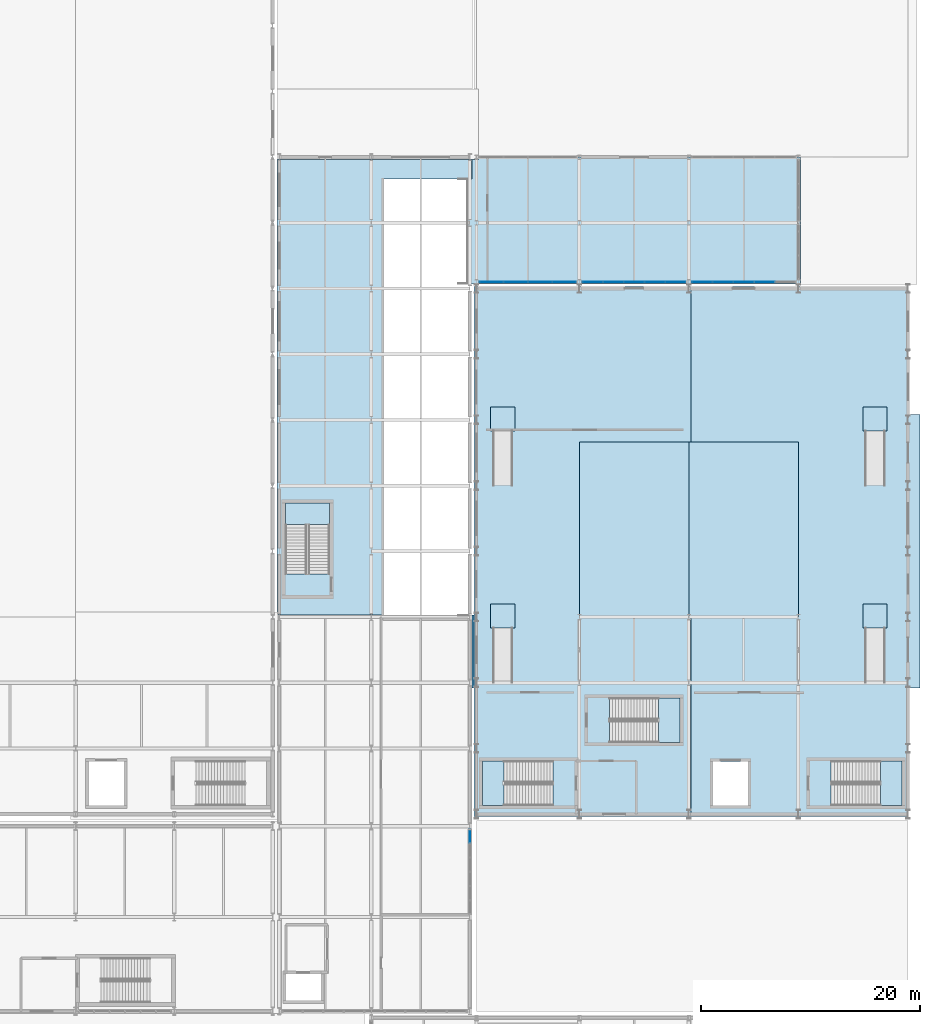
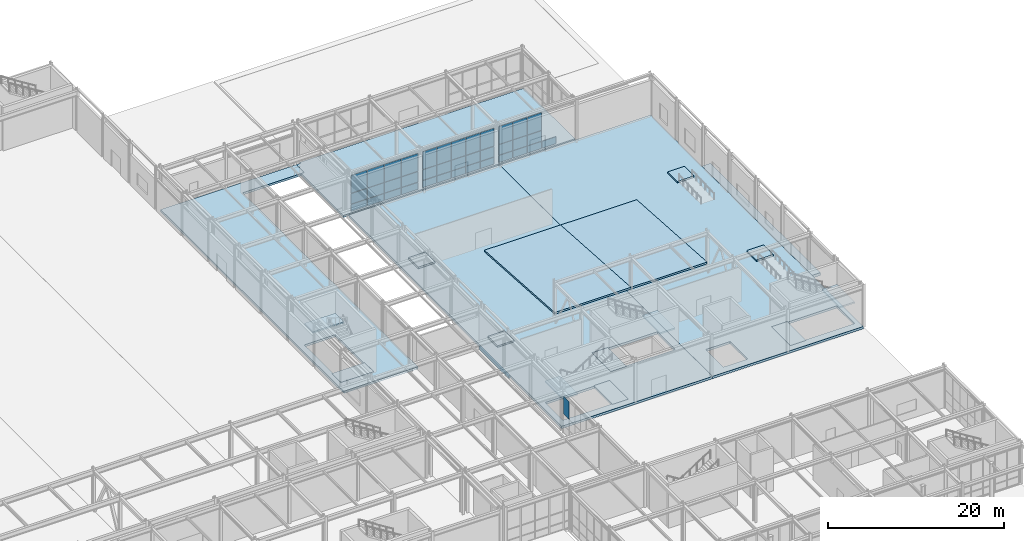
# One storey, part 113 of 146: 38 plates, 20 slabs, 8 elements without a shape of their own.
"""IFC4 building model written with IfcOpenShell, lengths in metres."""

from ifc_helpers import new_model, si_unit, direction, frame, origin, origin_2d, place, context, subcontext, project, spatial, polyline, rectangle, outline, extrude, material, layer, layer_set, type_object, element, aggregate, save


model = new_model("IFC4")

# Units and contexts
model_context = context("Model", 3, precision=1e-05, world=origin(), true_north=direction((0.0, 1.0)))
body_context = subcontext(model_context, "Body", "Model", "MODEL_VIEW")
ifc_project = project(units=[si_unit("LENGTHUNIT", "METRE"), si_unit("AREAUNIT", "SQUARE_METRE"), si_unit("VOLUMEUNIT", "CUBIC_METRE"), si_unit("PLANEANGLEUNIT", "RADIAN"), si_unit("MASSUNIT", "GRAM", prefix="KILO")], contexts=[model_context])

# Site, building, storey
site_placement = place(None, origin())
site = spatial("IfcSite", under=ifc_project, at=site_placement, CompositionType="ELEMENT")
building_placement = place(site_placement, origin())
building = spatial("IfcBuilding", under=site, at=building_placement, Name="Kaldris Quays Convention Centre", CompositionType="ELEMENT")
storey_placement = place(building_placement, origin())
storey = spatial("IfcBuildingStorey", under=building, at=storey_placement, Name="L00", CompositionType="ELEMENT", Elevation=0.0)

# Curtain wall, plates
ifc_material_1 = material(Name="Anodized aluminium AW-6060 and triple glazing", Category="aluminium")
curtain_wall_type_1 = type_object("IfcCurtainWallType", Name="UNITISED CURTAIN WALL CW06", PredefinedType="NOTDEFINED", material=ifc_material_1)
curtain_wall_1_placement = place(storey_placement, origin())
curtain_wall_1 = element("IfcCurtainWall", 1, at=curtain_wall_1_placement, inside=storey, type_object=curtain_wall_type_1, Name="L00 Unitised Curtain Wall CW06 154", PredefinedType="NOTDEFINED")
ifc_material_2 = material(Name="Triple low-E insulated glazing", Category="glass")
plate_type_1 = type_object("IfcPlateType", Name="CURTAIN GLAZING PANEL CWP2", PredefinedType="CURTAIN_PANEL", material=ifc_material_2)
plate_1_placement = place(storey_placement, frame((165.9775390625, 104.60009765625, 0.06005859375), z_axis=(0.0, 0.0, 1.0), x_axis=(1.0, 0.0, 0.0)))
plate_1 = element("IfcPlate", 2, at=plate_1_placement, type_object=plate_type_1, Name="CW06 panel 1.1", PredefinedType="CURTAIN_PANEL", context=body_context, shape_type="SweptSolid", body=[
    extrude(rectangle(XDim=2.135009765625, YDim=0.033935546875, at=origin_2d()), origin(), (0.0, 0.0, 1.0), 0.9599609375),
])
plate_2_placement = place(storey_placement, frame((165.9775390625, 104.60009765625, 1.080078125), z_axis=(0.0, 0.0, 1.0), x_axis=(1.0, 0.0, 0.0)))
plate_2 = element("IfcPlate", 3, at=plate_2_placement, type_object=plate_type_1, Name="CW06 panel 1.2", PredefinedType="CURTAIN_PANEL", context=body_context, shape_type="SweptSolid", body=[
    extrude(rectangle(XDim=2.135009765625, YDim=0.033935546875, at=origin_2d()), origin(), (0.0, 0.0, 1.0), 1.43896484375),
])
plate_3_placement = place(storey_placement, frame((165.9775390625, 104.60009765625, 2.5791015625), z_axis=(0.0, 0.0, 1.0), x_axis=(1.0, 0.0, 0.0)))
plate_3 = element("IfcPlate", 4, at=plate_3_placement, type_object=plate_type_1, Name="CW06 panel 1.3", PredefinedType="CURTAIN_PANEL", context=body_context, shape_type="SweptSolid", body=[
    extrude(rectangle(XDim=2.135009765625, YDim=0.033935546875, at=origin_2d()), origin(), (0.0, 0.0, 1.0), 2.458984375),
])
plate_4_placement = place(storey_placement, frame((168.1875, 104.60009765625, 0.06005859375), z_axis=(0.0, 0.0, 1.0), x_axis=(1.0, 0.0, 0.0)))
plate_4 = element("IfcPlate", 5, at=plate_4_placement, type_object=plate_type_1, Name="CW06 panel 2.1", PredefinedType="CURTAIN_PANEL", context=body_context, shape_type="SweptSolid", body=[
    extrude(rectangle(XDim=2.1650390625, YDim=0.033935546875, at=origin_2d()), origin(), (0.0, 0.0, 1.0), 0.9599609375),
])
plate_5_placement = place(storey_placement, frame((168.1875, 104.60009765625, 1.080078125), z_axis=(0.0, 0.0, 1.0), x_axis=(1.0, 0.0, 0.0)))
plate_5 = element("IfcPlate", 6, at=plate_5_placement, type_object=plate_type_1, Name="CW06 panel 2.2", PredefinedType="CURTAIN_PANEL", context=body_context, shape_type="SweptSolid", body=[
    extrude(rectangle(XDim=2.1650390625, YDim=0.033935546875, at=origin_2d()), origin(), (0.0, 0.0, 1.0), 1.43896484375),
])
plate_6_placement = place(storey_placement, frame((168.1875, 104.60009765625, 2.5791015625), z_axis=(0.0, 0.0, 1.0), x_axis=(1.0, 0.0, 0.0)))
plate_6 = element("IfcPlate", 7, at=plate_6_placement, type_object=plate_type_1, Name="CW06 panel 2.3", PredefinedType="CURTAIN_PANEL", context=body_context, shape_type="SweptSolid", body=[
    extrude(rectangle(XDim=2.1650390625, YDim=0.033935546875, at=origin_2d()), origin(), (0.0, 0.0, 1.0), 2.458984375),
])
plate_7_placement = place(storey_placement, frame((170.41259765625, 104.60009765625, 0.06005859375), z_axis=(0.0, 0.0, 1.0), x_axis=(1.0, 0.0, 0.0)))
plate_7 = element("IfcPlate", 8, at=plate_7_placement, type_object=plate_type_1, Name="CW06 panel 3.1", PredefinedType="CURTAIN_PANEL", context=body_context, shape_type="SweptSolid", body=[
    extrude(rectangle(XDim=2.1650390625, YDim=0.033935546875, at=origin_2d()), origin(), (0.0, 0.0, 1.0), 0.9599609375),
])
plate_8_placement = place(storey_placement, frame((170.41259765625, 104.60009765625, 1.080078125), z_axis=(0.0, 0.0, 1.0), x_axis=(1.0, 0.0, 0.0)))
plate_8 = element("IfcPlate", 9, at=plate_8_placement, type_object=plate_type_1, Name="CW06 panel 3.2", PredefinedType="CURTAIN_PANEL", context=body_context, shape_type="SweptSolid", body=[
    extrude(rectangle(XDim=2.1650390625, YDim=0.033935546875, at=origin_2d()), origin(), (0.0, 0.0, 1.0), 1.43896484375),
])
plate_9_placement = place(storey_placement, frame((170.41259765625, 104.60009765625, 2.5791015625), z_axis=(0.0, 0.0, 1.0), x_axis=(1.0, 0.0, 0.0)))
plate_9 = element("IfcPlate", 10, at=plate_9_placement, type_object=plate_type_1, Name="CW06 panel 3.3", PredefinedType="CURTAIN_PANEL", context=body_context, shape_type="SweptSolid", body=[
    extrude(rectangle(XDim=2.1650390625, YDim=0.033935546875, at=origin_2d()), origin(), (0.0, 0.0, 1.0), 2.458984375),
])
plate_10_placement = place(storey_placement, frame((172.62255859375, 104.60009765625, 0.06005859375), z_axis=(0.0, 0.0, 1.0), x_axis=(1.0, 0.0, 0.0)))
plate_10 = element("IfcPlate", 11, at=plate_10_placement, type_object=plate_type_1, Name="CW06 panel 4.1", PredefinedType="CURTAIN_PANEL", context=body_context, shape_type="SweptSolid", body=[
    extrude(rectangle(XDim=2.135009765625, YDim=0.033935546875, at=origin_2d()), origin(), (0.0, 0.0, 1.0), 0.9599609375),
])
plate_11_placement = place(storey_placement, frame((172.62255859375, 104.60009765625, 1.080078125), z_axis=(0.0, 0.0, 1.0), x_axis=(1.0, 0.0, 0.0)))
plate_11 = element("IfcPlate", 12, at=plate_11_placement, type_object=plate_type_1, Name="CW06 panel 4.2", PredefinedType="CURTAIN_PANEL", context=body_context, shape_type="SweptSolid", body=[
    extrude(rectangle(XDim=2.135009765625, YDim=0.033935546875, at=origin_2d()), origin(), (0.0, 0.0, 1.0), 1.43896484375),
])
plate_12_placement = place(storey_placement, frame((172.62255859375, 104.60009765625, 2.5791015625), z_axis=(0.0, 0.0, 1.0), x_axis=(1.0, 0.0, 0.0)))
plate_12 = element("IfcPlate", 13, at=plate_12_placement, type_object=plate_type_1, Name="CW06 panel 4.3", PredefinedType="CURTAIN_PANEL", context=body_context, shape_type="SweptSolid", body=[
    extrude(rectangle(XDim=2.135009765625, YDim=0.033935546875, at=origin_2d()), origin(), (0.0, 0.0, 1.0), 2.458984375),
])
aggregate(curtain_wall_1, [plate_1, plate_2, plate_3, plate_4, plate_5, plate_6, plate_7, plate_8, plate_9, plate_10, plate_11, plate_12])

curtain_wall_2_placement = place(storey_placement, origin())
curtain_wall_2 = element("IfcCurtainWall", 14, at=curtain_wall_2_placement, inside=storey, type_object=curtain_wall_type_1, Name="L00 Unitised Curtain Wall CW06 155", PredefinedType="NOTDEFINED")
plate_type_2 = type_object("IfcPlateType", Name="CURTAIN GLAZING PANEL CWP3", PredefinedType="CURTAIN_PANEL", material=ifc_material_2)
plate_13_placement = place(storey_placement, frame((175.215087890625, 104.60009765625, 0.06005859375), z_axis=(0.0, 0.0, 1.0), x_axis=(1.0, 0.0, 0.0)))
plate_13 = element("IfcPlate", 15, at=plate_13_placement, type_object=plate_type_2, Name="CW06 panel 1.1", PredefinedType="CURTAIN_PANEL", context=body_context, shape_type="SweptSolid", body=[
    extrude(rectangle(XDim=1.81005859375, YDim=0.0390625, at=origin_2d()), origin(), (0.0, 0.0, 1.0), 0.9599609375),
])
plate_14_placement = place(storey_placement, frame((175.215087890625, 104.60009765625, 1.080078125), z_axis=(0.0, 0.0, 1.0), x_axis=(1.0, 0.0, 0.0)))
plate_14 = element("IfcPlate", 16, at=plate_14_placement, type_object=plate_type_2, Name="CW06 panel 1.2", PredefinedType="CURTAIN_PANEL", context=body_context, shape_type="SweptSolid", body=[
    extrude(rectangle(XDim=1.81005859375, YDim=0.0390625, at=origin_2d()), origin(), (0.0, 0.0, 1.0), 1.43896484375),
])
plate_15_placement = place(storey_placement, frame((175.215087890625, 104.60009765625, 2.5791015625), z_axis=(0.0, 0.0, 1.0), x_axis=(1.0, 0.0, 0.0)))
plate_15 = element("IfcPlate", 17, at=plate_15_placement, type_object=plate_type_2, Name="CW06 panel 1.3", PredefinedType="CURTAIN_PANEL", context=body_context, shape_type="SweptSolid", body=[
    extrude(rectangle(XDim=1.81005859375, YDim=0.0390625, at=origin_2d()), origin(), (0.0, 0.0, 1.0), 2.458984375),
])
plate_16_placement = place(storey_placement, frame((177.10009765625, 104.60009765625, 0.06005859375), z_axis=(0.0, 0.0, 1.0), x_axis=(1.0, 0.0, 0.0)))
plate_16 = element("IfcPlate", 18, at=plate_16_placement, type_object=plate_type_2, Name="CW06 panel 2.1", PredefinedType="CURTAIN_PANEL", context=body_context, shape_type="SweptSolid", body=[
    extrude(rectangle(XDim=1.840087890625, YDim=0.0390625, at=origin_2d()), origin(), (0.0, 0.0, 1.0), 0.9599609375),
])
plate_17_placement = place(storey_placement, frame((177.10009765625, 104.60009765625, 1.080078125), z_axis=(0.0, 0.0, 1.0), x_axis=(1.0, 0.0, 0.0)))
plate_17 = element("IfcPlate", 19, at=plate_17_placement, type_object=plate_type_2, Name="CW06 panel 2.2", PredefinedType="CURTAIN_PANEL", context=body_context, shape_type="SweptSolid", body=[
    extrude(rectangle(XDim=1.840087890625, YDim=0.0390625, at=origin_2d()), origin(), (0.0, 0.0, 1.0), 1.43896484375),
])
plate_18_placement = place(storey_placement, frame((177.10009765625, 104.60009765625, 2.5791015625), z_axis=(0.0, 0.0, 1.0), x_axis=(1.0, 0.0, 0.0)))
plate_18 = element("IfcPlate", 20, at=plate_18_placement, type_object=plate_type_2, Name="CW06 panel 2.3", PredefinedType="CURTAIN_PANEL", context=body_context, shape_type="SweptSolid", body=[
    extrude(rectangle(XDim=1.840087890625, YDim=0.0390625, at=origin_2d()), origin(), (0.0, 0.0, 1.0), 2.458984375),
])
plate_19_placement = place(storey_placement, frame((179.0, 104.60009765625, 0.06005859375), z_axis=(0.0, 0.0, 1.0), x_axis=(1.0, 0.0, 0.0)))
plate_19 = element("IfcPlate", 21, at=plate_19_placement, type_object=plate_type_2, Name="CW06 panel 3.1", PredefinedType="CURTAIN_PANEL", context=body_context, shape_type="SweptSolid", body=[
    extrude(rectangle(XDim=1.840087890625, YDim=0.0390625, at=origin_2d()), origin(), (0.0, 0.0, 1.0), 0.9599609375),
])
plate_20_placement = place(storey_placement, frame((179.0, 104.60009765625, 1.080078125), z_axis=(0.0, 0.0, 1.0), x_axis=(1.0, 0.0, 0.0)))
plate_20 = element("IfcPlate", 22, at=plate_20_placement, type_object=plate_type_2, Name="CW06 panel 3.2", PredefinedType="CURTAIN_PANEL", context=body_context, shape_type="SweptSolid", body=[
    extrude(rectangle(XDim=1.840087890625, YDim=0.0390625, at=origin_2d()), origin(), (0.0, 0.0, 1.0), 1.43896484375),
])
plate_21_placement = place(storey_placement, frame((179.0, 104.60009765625, 2.5791015625), z_axis=(0.0, 0.0, 1.0), x_axis=(1.0, 0.0, 0.0)))
plate_21 = element("IfcPlate", 23, at=plate_21_placement, type_object=plate_type_2, Name="CW06 panel 3.3", PredefinedType="CURTAIN_PANEL", context=body_context, shape_type="SweptSolid", body=[
    extrude(rectangle(XDim=1.840087890625, YDim=0.0390625, at=origin_2d()), origin(), (0.0, 0.0, 1.0), 2.458984375),
])
plate_22_placement = place(storey_placement, frame((180.89990234375, 104.60009765625, 0.06005859375), z_axis=(0.0, 0.0, 1.0), x_axis=(1.0, 0.0, 0.0)))
plate_22 = element("IfcPlate", 24, at=plate_22_placement, type_object=plate_type_2, Name="CW06 panel 4.1", PredefinedType="CURTAIN_PANEL", context=body_context, shape_type="SweptSolid", body=[
    extrude(rectangle(XDim=1.840087890625, YDim=0.0390625, at=origin_2d()), origin(), (0.0, 0.0, 1.0), 0.9599609375),
])
plate_23_placement = place(storey_placement, frame((180.89990234375, 104.60009765625, 1.080078125), z_axis=(0.0, 0.0, 1.0), x_axis=(1.0, 0.0, 0.0)))
plate_23 = element("IfcPlate", 25, at=plate_23_placement, type_object=plate_type_2, Name="CW06 panel 4.2", PredefinedType="CURTAIN_PANEL", context=body_context, shape_type="SweptSolid", body=[
    extrude(rectangle(XDim=1.840087890625, YDim=0.0390625, at=origin_2d()), origin(), (0.0, 0.0, 1.0), 1.43896484375),
])
plate_24_placement = place(storey_placement, frame((180.89990234375, 104.60009765625, 2.5791015625), z_axis=(0.0, 0.0, 1.0), x_axis=(1.0, 0.0, 0.0)))
plate_24 = element("IfcPlate", 26, at=plate_24_placement, type_object=plate_type_2, Name="CW06 panel 4.3", PredefinedType="CURTAIN_PANEL", context=body_context, shape_type="SweptSolid", body=[
    extrude(rectangle(XDim=1.840087890625, YDim=0.0390625, at=origin_2d()), origin(), (0.0, 0.0, 1.0), 2.458984375),
])
plate_25_placement = place(storey_placement, frame((182.784912109375, 104.60009765625, 0.06005859375), z_axis=(0.0, 0.0, 1.0), x_axis=(1.0, 0.0, 0.0)))
plate_25 = element("IfcPlate", 27, at=plate_25_placement, type_object=plate_type_2, Name="CW06 panel 5.1", PredefinedType="CURTAIN_PANEL", context=body_context, shape_type="SweptSolid", body=[
    extrude(rectangle(XDim=1.81005859375, YDim=0.0390625, at=origin_2d()), origin(), (0.0, 0.0, 1.0), 0.9599609375),
])
plate_26_placement = place(storey_placement, frame((182.784912109375, 104.60009765625, 1.080078125), z_axis=(0.0, 0.0, 1.0), x_axis=(1.0, 0.0, 0.0)))
plate_26 = element("IfcPlate", 28, at=plate_26_placement, type_object=plate_type_2, Name="CW06 panel 5.2", PredefinedType="CURTAIN_PANEL", context=body_context, shape_type="SweptSolid", body=[
    extrude(rectangle(XDim=1.81005859375, YDim=0.0390625, at=origin_2d()), origin(), (0.0, 0.0, 1.0), 1.43896484375),
])
plate_27_placement = place(storey_placement, frame((182.784912109375, 104.60009765625, 2.5791015625), z_axis=(0.0, 0.0, 1.0), x_axis=(1.0, 0.0, 0.0)))
plate_27 = element("IfcPlate", 29, at=plate_27_placement, type_object=plate_type_2, Name="CW06 panel 5.3", PredefinedType="CURTAIN_PANEL", context=body_context, shape_type="SweptSolid", body=[
    extrude(rectangle(XDim=1.81005859375, YDim=0.0390625, at=origin_2d()), origin(), (0.0, 0.0, 1.0), 2.458984375),
])
aggregate(curtain_wall_2, [plate_13, plate_14, plate_15, plate_16, plate_17, plate_18, plate_19, plate_20, plate_21, plate_22, plate_23, plate_24, plate_25, plate_26, plate_27])

curtain_wall_3_placement = place(storey_placement, origin())
curtain_wall_3 = element("IfcCurtainWall", 30, at=curtain_wall_3_placement, inside=storey, type_object=curtain_wall_type_1, Name="L00 Unitised Curtain Wall CW06 157", PredefinedType="NOTDEFINED")
plate_type_3 = type_object("IfcPlateType", Name="CURTAIN GLAZING PANEL CWP5", PredefinedType="CURTAIN_PANEL", material=ifc_material_2)
plate_28_placement = place(storey_placement, frame((185.215087890625, 104.60009765625, 0.06005859375), z_axis=(0.0, 0.0, 1.0), x_axis=(1.0, 0.0, 0.0)))
plate_28 = element("IfcPlate", 31, at=plate_28_placement, type_object=plate_type_3, Name="CW06 panel 1.1", PredefinedType="CURTAIN_PANEL", context=body_context, shape_type="SweptSolid", body=[
    extrude(rectangle(XDim=1.81005859375, YDim=0.049072265625, at=origin_2d()), origin(), (0.0, 0.0, 1.0), 0.9599609375),
])
plate_29_placement = place(storey_placement, frame((185.215087890625, 104.60009765625, 1.080078125), z_axis=(0.0, 0.0, 1.0), x_axis=(1.0, 0.0, 0.0)))
plate_29 = element("IfcPlate", 32, at=plate_29_placement, type_object=plate_type_3, Name="CW06 panel 1.2", PredefinedType="CURTAIN_PANEL", context=body_context, shape_type="SweptSolid", body=[
    extrude(rectangle(XDim=1.81005859375, YDim=0.049072265625, at=origin_2d()), origin(), (0.0, 0.0, 1.0), 1.43896484375),
])
plate_30_placement = place(storey_placement, frame((185.215087890625, 104.60009765625, 2.5791015625), z_axis=(0.0, 0.0, 1.0), x_axis=(1.0, 0.0, 0.0)))
plate_30 = element("IfcPlate", 33, at=plate_30_placement, type_object=plate_type_3, Name="CW06 panel 1.3", PredefinedType="CURTAIN_PANEL", context=body_context, shape_type="SweptSolid", body=[
    extrude(rectangle(XDim=1.81005859375, YDim=0.049072265625, at=origin_2d()), origin(), (0.0, 0.0, 1.0), 2.458984375),
])
plate_31_placement = place(storey_placement, frame((187.10009765625, 104.60009765625, 0.06005859375), z_axis=(0.0, 0.0, 1.0), x_axis=(1.0, 0.0, 0.0)))
plate_31 = element("IfcPlate", 34, at=plate_31_placement, type_object=plate_type_3, Name="CW06 panel 2.1", PredefinedType="CURTAIN_PANEL", context=body_context, shape_type="SweptSolid", body=[
    extrude(rectangle(XDim=1.840087890625, YDim=0.049072265625, at=origin_2d()), origin(), (0.0, 0.0, 1.0), 0.9599609375),
])
plate_32_placement = place(storey_placement, frame((187.10009765625, 104.60009765625, 1.080078125), z_axis=(0.0, 0.0, 1.0), x_axis=(1.0, 0.0, 0.0)))
plate_32 = element("IfcPlate", 35, at=plate_32_placement, type_object=plate_type_3, Name="CW06 panel 2.2", PredefinedType="CURTAIN_PANEL", context=body_context, shape_type="SweptSolid", body=[
    extrude(rectangle(XDim=1.840087890625, YDim=0.049072265625, at=origin_2d()), origin(), (0.0, 0.0, 1.0), 1.43896484375),
])
plate_33_placement = place(storey_placement, frame((187.10009765625, 104.60009765625, 2.5791015625), z_axis=(0.0, 0.0, 1.0), x_axis=(1.0, 0.0, 0.0)))
plate_33 = element("IfcPlate", 36, at=plate_33_placement, type_object=plate_type_3, Name="CW06 panel 2.3", PredefinedType="CURTAIN_PANEL", context=body_context, shape_type="SweptSolid", body=[
    extrude(rectangle(XDim=1.840087890625, YDim=0.049072265625, at=origin_2d()), origin(), (0.0, 0.0, 1.0), 2.458984375),
])
plate_34_placement = place(storey_placement, frame((189.0, 104.60009765625, 0.06005859375), z_axis=(0.0, 0.0, 1.0), x_axis=(1.0, 0.0, 0.0)))
plate_34 = element("IfcPlate", 37, at=plate_34_placement, type_object=plate_type_3, Name="CW06 panel 3.1", PredefinedType="CURTAIN_PANEL", context=body_context, shape_type="SweptSolid", body=[
    extrude(rectangle(XDim=1.840087890625, YDim=0.049072265625, at=origin_2d()), origin(), (0.0, 0.0, 1.0), 0.9599609375),
])
plate_35_placement = place(storey_placement, frame((189.0, 104.60009765625, 1.080078125), z_axis=(0.0, 0.0, 1.0), x_axis=(1.0, 0.0, 0.0)))
plate_35 = element("IfcPlate", 38, at=plate_35_placement, type_object=plate_type_3, Name="CW06 panel 3.2", PredefinedType="CURTAIN_PANEL", context=body_context, shape_type="SweptSolid", body=[
    extrude(rectangle(XDim=1.840087890625, YDim=0.049072265625, at=origin_2d()), origin(), (0.0, 0.0, 1.0), 1.43896484375),
])
plate_36_placement = place(storey_placement, frame((189.0, 104.60009765625, 2.5791015625), z_axis=(0.0, 0.0, 1.0), x_axis=(1.0, 0.0, 0.0)))
plate_36 = element("IfcPlate", 39, at=plate_36_placement, type_object=plate_type_3, Name="CW06 panel 3.3", PredefinedType="CURTAIN_PANEL", context=body_context, shape_type="SweptSolid", body=[
    extrude(rectangle(XDim=1.840087890625, YDim=0.049072265625, at=origin_2d()), origin(), (0.0, 0.0, 1.0), 2.458984375),
])
plate_37_placement = place(storey_placement, frame((190.89990234375, 104.60009765625, 0.06005859375), z_axis=(0.0, 0.0, 1.0), x_axis=(1.0, 0.0, 0.0)))
plate_37 = element("IfcPlate", 40, at=plate_37_placement, type_object=plate_type_3, Name="CW06 panel 4.1", PredefinedType="CURTAIN_PANEL", context=body_context, shape_type="SweptSolid", body=[
    extrude(rectangle(XDim=1.840087890625, YDim=0.049072265625, at=origin_2d()), origin(), (0.0, 0.0, 1.0), 0.9599609375),
])
aggregate(curtain_wall_3, [plate_28, plate_29, plate_30, plate_31, plate_32, plate_33, plate_34, plate_35, plate_36, plate_37])

# Curtain wall, plate
curtain_wall_type_2 = type_object("IfcCurtainWallType", Name="UNITISED CURTAIN WALL CW04", PredefinedType="NOTDEFINED", material=ifc_material_1)
curtain_wall_4_placement = place(storey_placement, origin())
curtain_wall_4 = element("IfcCurtainWall", 41, at=curtain_wall_4_placement, inside=storey, type_object=curtain_wall_type_2, Name="L00 Unitised Curtain Wall CW04 136", PredefinedType="NOTDEFINED")
plate_type_4 = type_object("IfcPlateType", Name="CURTAIN GLAZING PANEL CWP8", PredefinedType="CURTAIN_PANEL", material=ifc_material_2)
plate_38_placement = place(storey_placement, frame((164.0, 53.985107421875, 2.5791015625), z_axis=(0.0, 0.0, 1.0), x_axis=(0.0, 1.0, 0.0)))
plate_38 = element("IfcPlate", 42, at=plate_38_placement, type_object=plate_type_4, Name="CW04 panel 6.3", PredefinedType="CURTAIN_PANEL", context=body_context, shape_type="SweptSolid", body=[
    extrude(rectangle(XDim=1.2099609375, YDim=0.06396484375, at=origin_2d()), origin(), (0.0, 0.0, 1.0), 2.458984375),
])
aggregate(curtain_wall_4, [plate_38])

# Stair, slab
ifc_material_3 = material(Name="Concrete C35/45", Category="concrete")
stair_type = type_object("IfcStairType", Name="DOGLEG ESCAPE STAIR STF2", PredefinedType="TWO_STRAIGHT_RUN_STAIR", material=ifc_material_3)
stair_1_placement = place(storey_placement, origin())
stair_1 = element("IfcStair", 43, at=stair_1_placement, inside=storey, type_object=stair_type, Name="L00 Escape Stair ST08", PredefinedType="TWO_STRAIGHT_RUN_STAIR")
ifc_layer_1 = layer(ifc_material_3, 0.205078125)
ifc_layer_set_1 = layer_set([ifc_layer_1], Name="Concrete C35/45")
slab_type_1 = type_object("IfcSlabType", Name="STAIR LANDING SLAB LS01", PredefinedType="LANDING", material=ifc_layer_set_1)
slab_1_placement = place(storey_placement, frame((0.0, 0.0, 2.794921875)))
slab_1 = element("IfcSlab", 44, at=slab_1_placement, type_object=slab_type_1, Name="STF2 landing 1", PredefinedType="LANDING", context=body_context, shape_type="SweptSolid", body=[
    extrude(outline(polyline([(167.1201171875, 60.85009765625), (165.14990234375, 60.85009765625), (165.14990234375, 56.800048828125), (167.1201171875, 56.800048828125), (167.1201171875, 60.85009765625)])), origin(), (0.0, 0.0, 1.0), 0.205078125),
])
aggregate(stair_1, [slab_1])

stair_2_placement = place(storey_placement, origin())
stair_2 = element("IfcStair", 45, at=stair_2_placement, inside=storey, type_object=stair_type, Name="L00 Escape Stair ST09", PredefinedType="TWO_STRAIGHT_RUN_STAIR")
slab_2_placement = place(storey_placement, frame((0.0, 0.0, 2.794921875)))
slab_2 = element("IfcSlab", 46, at=slab_2_placement, type_object=slab_type_1, Name="STF2 landing 1", PredefinedType="LANDING", context=body_context, shape_type="SweptSolid", body=[
    extrude(outline(polyline([(201.47998046875, 56.800048828125), (203.449951171875, 56.800048828125), (203.449951171875, 60.85009765625), (201.47998046875, 60.85009765625), (201.47998046875, 56.800048828125)])), origin(), (0.0, 0.0, 1.0), 0.205078125),
])
aggregate(stair_2, [slab_2])

stair_3_placement = place(storey_placement, origin())
stair_3 = element("IfcStair", 47, at=stair_3_placement, inside=storey, type_object=stair_type, Name="L00 Escape Stair ST10", PredefinedType="TWO_STRAIGHT_RUN_STAIR")
slab_3_placement = place(storey_placement, frame((0.0, 0.0, 2.794921875)))
slab_3 = element("IfcSlab", 48, at=slab_3_placement, type_object=slab_type_1, Name="STF2 landing 1", PredefinedType="LANDING", context=body_context, shape_type="SweptSolid", body=[
    extrude(outline(polyline([(181.22998046875, 62.550048828125), (183.199951171875, 62.550048828125), (183.199951171875, 66.60009765625), (181.22998046875, 66.60009765625), (181.22998046875, 62.550048828125)])), origin(), (0.0, 0.0, 1.0), 0.205078125),
])
aggregate(stair_3, [slab_3])

stair_4_placement = place(storey_placement, origin())
stair_4 = element("IfcStair", 49, at=stair_4_placement, inside=storey, type_object=stair_type, Name="L00 Escape Stair ST14", PredefinedType="TWO_STRAIGHT_RUN_STAIR")
slab_4_placement = place(storey_placement, frame((0.0, 0.0, 2.794921875)))
slab_4 = element("IfcSlab", 50, at=slab_4_placement, type_object=slab_type_1, Name="STF2 landing 1", PredefinedType="LANDING", context=body_context, shape_type="SweptSolid", body=[
    extrude(outline(polyline([(151.199951171875, 82.429931640625), (151.199951171875, 84.39990234375), (147.14990234375, 84.39990234375), (147.14990234375, 82.429931640625), (151.199951171875, 82.429931640625)])), origin(), (0.0, 0.0, 1.0), 0.205078125),
])
aggregate(stair_4, [slab_4])

# Slabs
ifc_layer_2 = layer(ifc_material_3, 0.39990234375)
ifc_layer_set_2 = layer_set([ifc_layer_2], Name="Concrete C35/45")
slab_type_2 = type_object("IfcSlabType", Name="STRUCTURAL SLAB BS03", PredefinedType="BASESLAB", material=ifc_layer_set_2)
slab_5_placement = place(storey_placement, frame((0.0, 0.0, -0.39990234375)))
element("IfcSlab", 51, at=slab_5_placement, inside=storey, type_object=slab_type_2, Name="L00 Entrance Threshold Apron 2 SLAB-L00-THRESH-2", PredefinedType="BASESLAB", context=body_context, shape_type="SweptSolid", body=[
    extrude(outline(polyline([(205.10009765625, 92.5), (205.10009765625, 67.5), (204.001953125, 67.5), (204.001953125, 92.5), (205.10009765625, 92.5)])), origin(), (0.0, 0.0, 1.0), 0.39990234375),
])
slab_6_placement = place(storey_placement, frame((0.0, 0.0, -0.39990234375)))
element("IfcSlab", 52, at=slab_6_placement, inside=storey, type_object=slab_type_2, Name="L00 Entrance Threshold Apron 3 SLAB-L00-THRESH-3", PredefinedType="BASESLAB", context=body_context, shape_type="SweptSolid", body=[
    extrude(outline(polyline([(164.39794921875, 74.199951171875), (164.39794921875, 67.5), (164.201904296875, 67.5), (164.201904296875, 74.199951171875), (164.39794921875, 74.199951171875)])), origin(), (0.0, 0.0, 1.0), 0.39990234375),
])
ifc_layer_3 = layer(ifc_material_3, 0.31494140625)
ifc_layer_set_3 = layer_set([ifc_layer_3], Name="Concrete C35/45")
slab_type_3 = type_object("IfcSlabType", Name="STRUCTURAL SLAB FS03", PredefinedType="FLOOR", material=ifc_layer_set_3)
slab_7_placement = place(storey_placement, frame((0.0, 0.0, -0.31494140625)))
element("IfcSlab", 53, at=slab_7_placement, inside=storey, type_object=slab_type_3, Name="L00 V2 Plenary Stalls Slab A SLAB-L00-V2A", PredefinedType="FLOOR", context=body_context, shape_type="SweptSolid", body=[
    extrude(outline(polyline([(164.39990234375, 55.800048828125), (164.39990234375, 104.199951171875), (184.199951171875, 104.199951171875), (184.199951171875, 55.800048828125), (164.39990234375, 55.800048828125)]), holes=[polyline([(171.597900390625, 60.969970703125), (171.597900390625, 60.85009765625), (165.14990234375, 60.85009765625), (165.14990234375, 56.800048828125), (171.597900390625, 56.800048828125), (171.599853515625, 56.677978515625), (173.671142578125, 56.67822265625), (173.671875, 60.970947265625), (171.597900390625, 60.969970703125)]), polyline([(174.67919921875, 62.42822265625), (176.750244140625, 62.427978515625), (176.751953125, 62.550048828125), (183.199951171875, 62.550048828125), (183.199951171875, 66.60009765625), (176.751953125, 66.60009765625), (176.750244140625, 66.721923828125), (174.67919921875, 66.7216796875), (174.67919921875, 62.42822265625)])]), origin(), (0.0, 0.0, 1.0), 0.31494140625),
])
slab_8_placement = place(storey_placement, frame((0.0, 0.0, -0.31494140625)))
element("IfcSlab", 54, at=slab_8_placement, inside=storey, type_object=slab_type_3, Name="L00 V2 Plenary Stalls Slab B SLAB-L00-V2B", PredefinedType="FLOOR", context=body_context, shape_type="SweptSolid", body=[
    extrude(outline(polyline([(204.0, 104.199951171875), (204.0, 55.800048828125), (184.201904296875, 55.800048828125), (184.201904296875, 104.199951171875), (204.0, 104.199951171875)]), holes=[polyline([(189.39990234375, 56.800048828125), (189.39990234375, 60.800048828125), (186.199951171875, 60.800048828125), (186.199951171875, 56.800048828125), (189.39990234375, 56.800048828125)]), polyline([(197.001708984375, 56.67919921875), (197.001953125, 56.800048828125), (203.449951171875, 56.800048828125), (203.449951171875, 60.85009765625), (197.001953125, 60.85009765625), (197.000244140625, 60.971923828125), (194.928955078125, 60.9716796875), (194.92822265625, 56.67919921875), (197.001708984375, 56.67919921875)])]), origin(), (0.0, 0.0, 1.0), 0.31494140625),
])
ifc_layer_4 = layer(ifc_material_3, 0.294921875)
ifc_layer_set_4 = layer_set([ifc_layer_4], Name="Concrete C35/45")
slab_type_4 = type_object("IfcSlabType", Name="STRUCTURAL SLAB FS04", PredefinedType="FLOOR", material=ifc_layer_set_4)
slab_9_placement = place(storey_placement, frame((0.0, 0.0, -0.294921875)))
element("IfcSlab", 55, at=slab_9_placement, inside=storey, type_object=slab_type_4, Name="L00 V4 East Spine Slab B SLAB-L00-V4EB", PredefinedType="FLOOR", context=body_context, shape_type="SweptSolid", body=[
    extrude(outline(polyline([(164.199951171875, 114.0), (156.14990234375, 114.0), (156.14990234375, 74.201904296875), (146.47705078125, 74.201904296875), (146.476806640625, 74.4755859375), (146.39990234375, 74.47705078125), (146.39990234375, 115.798095703125), (164.199951171875, 115.798095703125), (164.199951171875, 114.0)]), holes=[polyline([(151.32080078125, 77.951904296875), (151.199951171875, 77.951904296875), (151.199951171875, 84.39990234375), (147.14990234375, 84.39990234375), (147.14990234375, 77.951904296875), (147.028076171875, 77.9501953125), (147.0283203125, 75.87890625), (151.32080078125, 75.878173828125), (151.32080078125, 77.951904296875)])]), origin(), (0.0, 0.0, 1.0), 0.294921875),
])
slab_10_placement = place(storey_placement, frame((0.0, 0.0, -0.294921875)))
element("IfcSlab", 56, at=slab_10_placement, inside=storey, type_object=slab_type_4, Name="L00 V4 NE Suite Slab SLAB-L00-V4NE", PredefinedType="FLOOR", context=body_context, shape_type="SweptSolid", body=[
    extrude(outline(polyline([(194.199951171875, 104.39990234375), (163.800048828125, 104.39990234375), (163.800048828125, 113.998046875), (164.201904296875, 113.99951171875), (164.201904296875, 115.798095703125), (164.800537109375, 115.798095703125), (164.802001953125, 115.998046875), (194.199951171875, 115.998046875), (194.199951171875, 104.39990234375)])), origin(), (0.0, 0.0, 1.0), 0.294921875),
])
ifc_layer_5 = layer(ifc_material_3, 0.27490234375)
ifc_layer_set_5 = layer_set([ifc_layer_5], Name="Concrete C35/45")
slab_type_5 = type_object("IfcSlabType", Name="STRUCTURAL SLAB FS05", PredefinedType="FLOOR", material=ifc_layer_set_5)
slab_11_placement = place(storey_placement, frame((0.0, 0.0, -0.27490234375)))
element("IfcSlab", 57, at=slab_11_placement, inside=storey, type_object=slab_type_5, Name="L00 ST08 Core Floor Landing Slab", PredefinedType="FLOOR", context=body_context, shape_type="SweptSolid", body=[
    extrude(outline(polyline([(173.669921875, 60.969970703125), (171.60009765625, 60.969970703125), (171.60009765625, 56.679931640625), (173.669921875, 56.679931640625), (173.669921875, 60.969970703125)])), origin(), (0.0, 0.0, 1.0), 0.27490234375),
])
slab_12_placement = place(storey_placement, frame((0.0, 0.0, -0.27490234375)))
element("IfcSlab", 58, at=slab_12_placement, inside=storey, type_object=slab_type_5, Name="L00 ST09 Core Floor Landing Slab", PredefinedType="FLOOR", context=body_context, shape_type="SweptSolid", body=[
    extrude(outline(polyline([(194.929931640625, 56.679931640625), (197.0, 56.679931640625), (197.0, 60.969970703125), (194.929931640625, 60.969970703125), (194.929931640625, 56.679931640625)])), origin(), (0.0, 0.0, 1.0), 0.27490234375),
])
slab_13_placement = place(storey_placement, frame((0.0, 0.0, -0.27490234375)))
element("IfcSlab", 59, at=slab_13_placement, inside=storey, type_object=slab_type_5, Name="L00 ST10 Core Floor Landing Slab", PredefinedType="FLOOR", context=body_context, shape_type="SweptSolid", body=[
    extrude(outline(polyline([(174.679931640625, 62.429931640625), (176.75, 62.429931640625), (176.75, 66.719970703125), (174.679931640625, 66.719970703125), (174.679931640625, 62.429931640625)])), origin(), (0.0, 0.0, 1.0), 0.27490234375),
])
slab_14_placement = place(storey_placement, frame((0.0, 0.0, -0.27490234375)))
element("IfcSlab", 60, at=slab_14_placement, inside=storey, type_object=slab_type_5, Name="L00 ST14 Core Floor Landing Slab", PredefinedType="FLOOR", context=body_context, shape_type="SweptSolid", body=[
    extrude(outline(polyline([(151.320068359375, 75.8798828125), (151.320068359375, 77.949951171875), (147.030029296875, 77.949951171875), (147.030029296875, 75.8798828125), (151.320068359375, 75.8798828125)])), origin(), (0.0, 0.0, 1.0), 0.27490234375),
])
ifc_layer_6 = layer(ifc_material_3, 0.218017578125)
ifc_layer_set_6 = layer_set([ifc_layer_6], Name="Concrete C35/45")
slab_type_6 = type_object("IfcSlabType", Name="STRUCTURAL SLAB FS08", PredefinedType="FLOOR", material=ifc_layer_set_6)
slab_15_placement = place(storey_placement, frame((0.0, 0.0, 0.001953125)))
element("IfcSlab", 61, at=slab_15_placement, inside=storey, type_object=slab_type_6, Name="L00 Accessible Viewing Platform 1", PredefinedType="FLOOR", context=body_context, shape_type="SweptSolid", body=[
    extrude(outline(polyline([(165.89990234375, 91.0), (168.10009765625, 91.0), (168.10009765625, 93.199951171875), (165.89990234375, 93.199951171875), (165.89990234375, 91.0)])), origin(), (0.0, 0.0, 1.0), 0.218017578125),
])
slab_16_placement = place(storey_placement, frame((0.0, 0.0, 0.001953125)))
element("IfcSlab", 62, at=slab_16_placement, inside=storey, type_object=slab_type_6, Name="L00 Accessible Viewing Platform 2", PredefinedType="FLOOR", context=body_context, shape_type="SweptSolid", body=[
    extrude(outline(polyline([(199.89990234375, 91.0), (202.10009765625, 91.0), (202.10009765625, 93.199951171875), (199.89990234375, 93.199951171875), (199.89990234375, 91.0)])), origin(), (0.0, 0.0, 1.0), 0.218017578125),
])
slab_17_placement = place(storey_placement, frame((0.0, 0.0, 0.001953125)))
element("IfcSlab", 63, at=slab_17_placement, inside=storey, type_object=slab_type_6, Name="L00 Accessible Viewing Platform 3", PredefinedType="FLOOR", context=body_context, shape_type="SweptSolid", body=[
    extrude(outline(polyline([(165.89990234375, 73.0), (168.10009765625, 73.0), (168.10009765625, 75.199951171875), (165.89990234375, 75.199951171875), (165.89990234375, 73.0)])), origin(), (0.0, 0.0, 1.0), 0.218017578125),
])
slab_18_placement = place(storey_placement, frame((0.0, 0.0, 0.001953125)))
element("IfcSlab", 64, at=slab_18_placement, inside=storey, type_object=slab_type_6, Name="L00 Accessible Viewing Platform 4", PredefinedType="FLOOR", context=body_context, shape_type="SweptSolid", body=[
    extrude(outline(polyline([(199.89990234375, 73.0), (202.10009765625, 73.0), (202.10009765625, 75.199951171875), (199.89990234375, 75.199951171875), (199.89990234375, 73.0)])), origin(), (0.0, 0.0, 1.0), 0.218017578125),
])
ifc_material_4 = material(Name="Precast concrete C40/50", Category="concrete")
ifc_layer_7 = layer(ifc_material_4, 0.22998046875)
ifc_layer_set_7 = layer_set([ifc_layer_7], Name="Precast concrete C40/50")
slab_type_7 = type_object("IfcSlabType", Name="STRUCTURAL SLAB TS01", PredefinedType="USERDEFINED", material=ifc_layer_set_7)
for number, where, z_axis, x_axis, name in (
    (65, (174.0, 74.0, 1.39990234375), (0.0, 0.065472014545, 0.997854405869), (1.0, 0.0, 0.0), "Stand Lower Stalls Tier 1"),
    (66, (184.0, 74.0, 1.39990234375), (0.0, 0.065472014545, 0.997854405869), (1.0, 0.0, 0.0), "Stand Lower Stalls Tier 2"),
):
    element("IfcSlab", number, at=place(storey_placement, frame(where, z_axis=z_axis, x_axis=x_axis)), inside=storey, type_object=slab_type_7, Name=name, ObjectType="SEATING TIER", PredefinedType="USERDEFINED", context=body_context, shape_type="SweptSolid", body=[
        extrude(outline(polyline([(0.0, 0.0), (10.0, 0.0), (10.0, 16.03440332166735), (0.0, 16.03440332166735), (0.0, 0.0)])), origin(), (0.0, 0.0, -1.0), 0.22998046875),
    ])

save(model, "model.ifc")
